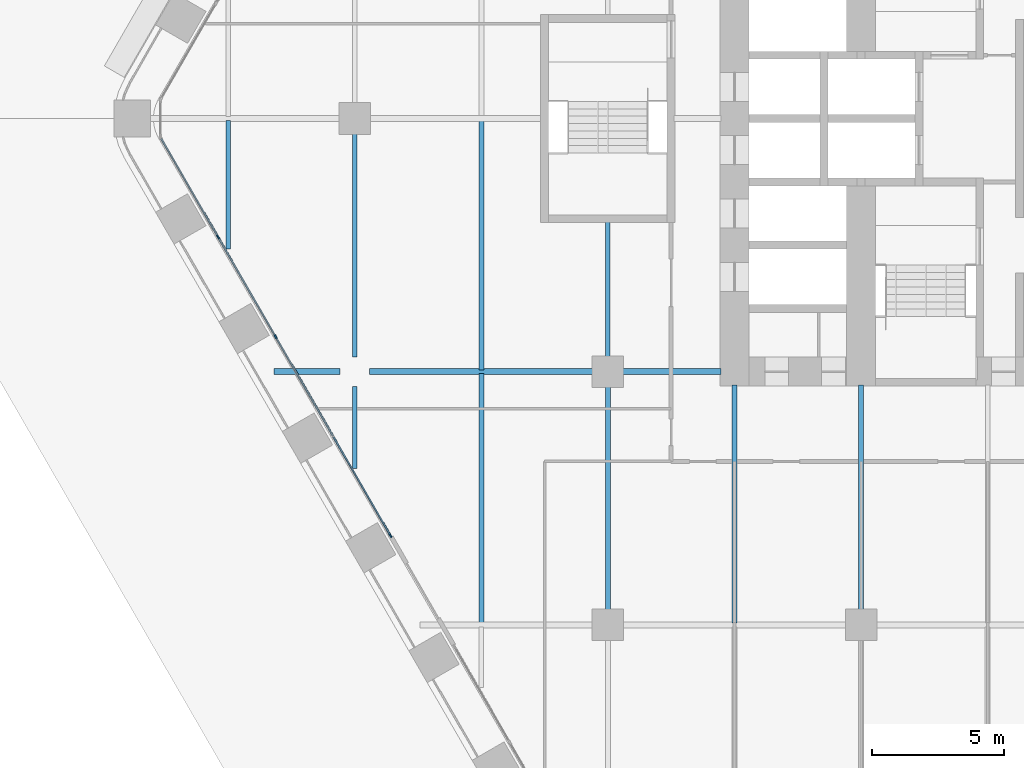
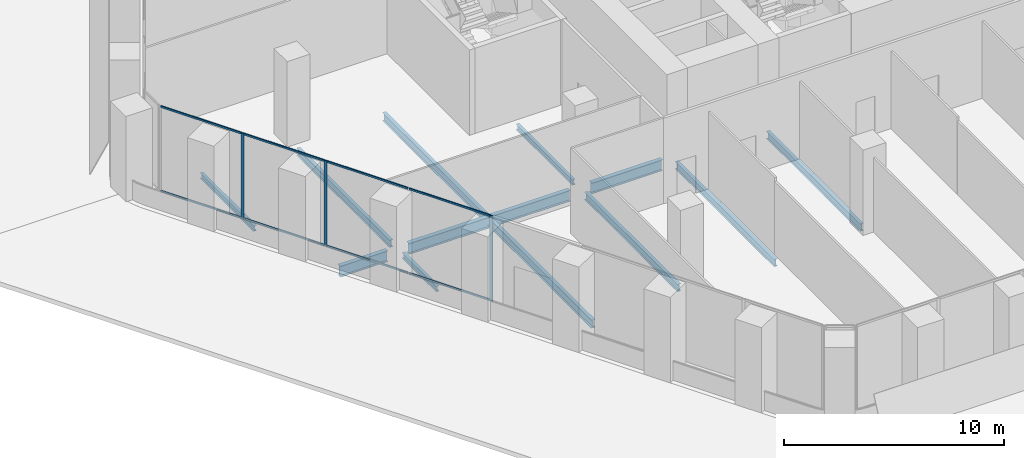
# One storey, part 3 of 29: 12 beams, 11 members, 1 element without a shape of its own.
"""IFC4 building model written with IfcOpenShell, lengths in metres."""

import ifcopenshell
import ifcopenshell.guid

model = None  # the IFC model being written
_history = None  # IfcOwnerHistory: only IFC2X3 demands one
_inside = {}  # id of a spatial element -> (the spatial element, [elements in it])
_under = {}  # id of a project, library or spatial element -> (it, [spatial elements below it])
_declared = {}  # id of a project -> (the project, [libraries it declares])
_typed = {}  # id of a type object -> (the type object, [elements of that type])
_made_of = {}  # id of a material, layer set ... -> (it, [elements and type objects made of it])


def new_model(schema):
    """Start an empty IFC model of exactly this schema.

    Asked for "IFC4X3", IfcOpenShell would pick the latest addendum, in which some entities
    have other attributes; the version numbers below select the first issue.
    IFC2X3 requires an IfcOwnerHistory on every rooted entity: one is made here for all.
    """
    global model, _history
    if schema == "IFC4X3":
        model = ifcopenshell.file(schema_version=(4, 3, 0, 0))
    else:
        model = ifcopenshell.file(schema=schema)
    _inside.clear()
    _under.clear()
    _declared.clear()
    _typed.clear()
    _made_of.clear()
    _history = None
    if model.schema == "IFC2X3":
        org = make("IfcOrganization", Name="unknown")
        user = make(
            "IfcPersonAndOrganization",
            ThePerson=make("IfcPerson", FamilyName="unknown"),
            TheOrganization=org,
        )
        app = make(
            "IfcApplication",
            ApplicationDeveloper=org,
            Version="unknown",
            ApplicationFullName="unknown",
            ApplicationIdentifier="unknown",
        )
        _history = make(
            "IfcOwnerHistory",
            OwningUser=user,
            OwningApplication=app,
            ChangeAction="ADDED",
            CreationDate=0,
        )
    return model


def make(cls, **values):
    """One entity of the class cls with the attributes given. An attribute that is None is left unset."""
    return model.create_entity(
        cls, **{name: value for name, value in values.items() if value is not None}
    )


def rooted(cls, **values):
    """An entity with a GlobalId (a new one), such as an element, a storey or a relation."""
    return make(cls, GlobalId=ifcopenshell.guid.new(), OwnerHistory=_history, **values)


def si_unit(unit_type, name, prefix=None):
    """IfcSIUnit, for example si_unit("LENGTHUNIT", "METRE", prefix="MILLI")."""
    return make("IfcSIUnit", UnitType=unit_type, Prefix=prefix, Name=name)


def assignment(units):
    """IfcUnitAssignment: the units of a project."""
    return None if units is None else make("IfcUnitAssignment", Units=units)


def point(xyz):
    """IfcCartesianPoint."""
    return None if xyz is None else make("IfcCartesianPoint", Coordinates=xyz)


def direction(xyz):
    """IfcDirection."""
    return None if xyz is None else make("IfcDirection", DirectionRatios=xyz)


def frame(location, z_axis=None, x_axis=None):
    """IfcAxis2Placement3D, a coordinate frame: its origin and axes. An axis left out is left unset."""
    return make(
        "IfcAxis2Placement3D",
        Location=point(location),
        Axis=direction(z_axis),
        RefDirection=direction(x_axis),
    )


def frame_2d(location, x_axis=None):
    """IfcAxis2Placement2D, a coordinate frame in the plane: its origin and x axis."""
    return make(
        "IfcAxis2Placement2D", Location=point(location), RefDirection=direction(x_axis)
    )


def origin():
    """The frame at (0, 0, 0) with its axes left unset."""
    return frame((0.0, 0.0, 0.0))


def origin_2d():
    """The frame at (0, 0) in the plane with its x axis left unset."""
    return frame_2d((0.0, 0.0))


def place(relative_to, where):
    """IfcLocalPlacement: puts the frame where relative to a parent placement (None: the world)."""
    return make(
        "IfcLocalPlacement", PlacementRelTo=relative_to, RelativePlacement=where
    )


def context(
    kind, dimensions, precision=None, world=None, true_north=None, identifier=None
):
    """IfcGeometricRepresentationContext, for example the 3D "Model" context."""
    return make(
        "IfcGeometricRepresentationContext",
        ContextIdentifier=identifier,
        ContextType=kind,
        CoordinateSpaceDimension=dimensions,
        Precision=precision,
        WorldCoordinateSystem=world,
        TrueNorth=true_north,
    )


def subcontext(parent, identifier, kind, view, scale=None):
    """IfcGeometricRepresentationSubContext, for example "Body" below "Model"."""
    return make(
        "IfcGeometricRepresentationSubContext",
        ContextIdentifier=identifier,
        ContextType=kind,
        ParentContext=parent,
        TargetScale=scale,
        TargetView=view,
    )


def project(units=None, contexts=None):
    """IfcProject with its units and contexts."""
    return rooted(
        "IfcProject",
        Name="project",
        RepresentationContexts=contexts,
        UnitsInContext=assignment(units),
    )


def spatial(cls, under=None, at=None, **own):
    """A site, building, storey or space (cls), placed at a placement, below another one or the project."""
    s = rooted(cls, ObjectPlacement=at, **own)
    if under is not None:
        _under.setdefault(under.id(), (under, []))[1].append(s)
    return s


def profile(cls, at=None, kind="AREA", **sizes):
    """A parametric profile (cls). Its sizes go by their IFC names, for example OverallWidth=200.0."""
    return make(cls, ProfileType=kind, Position=at, **sizes)


def rectangle(**sizes):
    """IfcRectangleProfileDef."""
    return profile("IfcRectangleProfileDef", **sizes)


def i_section(**sizes):
    """IfcIShapeProfileDef."""
    return profile("IfcIShapeProfileDef", **sizes)


def extrude(swept, where, along, depth):
    """IfcExtrudedAreaSolid: the profile swept, set in the frame where, extruded along a direction by depth."""
    return make(
        "IfcExtrudedAreaSolid",
        SweptArea=swept,
        Position=where,
        ExtrudedDirection=direction(along),
        Depth=depth,
    )


def shape(context_of_items, identifier, shape_type, items):
    """IfcShapeRepresentation: the items that make up one representation, for example the "Body"."""
    return make(
        "IfcShapeRepresentation",
        ContextOfItems=context_of_items,
        RepresentationIdentifier=identifier,
        RepresentationType=shape_type,
        Items=items,
    )


def material(Name=None, Category=None):
    """IfcMaterial."""
    return make("IfcMaterial", Name=Name, Category=Category)


def material_profile(
    of_material, cross_section, Name=None, Category=None, Priority=None
):
    """IfcMaterialProfile: a cross section and its material."""
    return make(
        "IfcMaterialProfile",
        Name=Name,
        Material=of_material,
        Profile=cross_section,
        Priority=Priority,
        Category=Category,
    )


def profile_set(profiles, Name=None, composite=None):
    """IfcMaterialProfileSet."""
    return make(
        "IfcMaterialProfileSet",
        Name=Name,
        MaterialProfiles=profiles,
        CompositeProfile=composite,
    )


def made_of(thing, what):
    """Note that an element or type object is made of a material, layer set ...; save() writes the relation."""
    if what is not None:
        _made_of.setdefault(what.id(), (what, []))[1].append(thing)
    return thing


def type_object(cls, material=None, **own):
    """A type object (cls), such as IfcWallType, which elements share."""
    return made_of(rooted(cls, **own), material)


def element(
    cls,
    number,
    at=None,
    inside=None,
    cuts=None,
    type_object=None,
    material=None,
    context=None,
    identifier="Body",
    shape_type=None,
    held_by="IfcProductDefinitionShape",
    body=None,
    shapes=None,
    **own,
):
    """One element of the class cls, such as IfcWall. Its Tag is "e" and its number.

    at: its placement. inside: the storey or other place that contains it. cuts: it is an
    opening in that element (IfcRelVoidsElement). A single representation is given by context,
    identifier, shape_type and body (its items); several are given by shapes. held_by: the class
    of the entity that holds the representations. save() writes the other relations.
    """
    e = rooted(cls, Tag="e%d" % number, ObjectPlacement=at, **own)
    if body is not None:
        shapes = [shape(context, identifier, shape_type, body)]
    if shapes is not None:
        e.Representation = make(held_by, Representations=shapes)
    if inside is not None:
        _inside.setdefault(inside.id(), (inside, []))[1].append(e)
    if cuts is not None:
        rooted(
            "IfcRelVoidsElement", RelatingBuildingElement=cuts, RelatedOpeningElement=e
        )
    if type_object is not None:
        _typed.setdefault(type_object.id(), (type_object, []))[1].append(e)
    return made_of(e, material)


def aggregate(whole, parts):
    """IfcRelAggregates: a whole, such as a stair, and the parts it consists of."""
    return rooted("IfcRelAggregates", RelatingObject=whole, RelatedObjects=parts)


def save(model, path):
    """Write the relations noted so far, then the file.

    IfcRelAggregates (storeys below a building ...), IfcRelContainedInSpatialStructure (elements
    in a storey), IfcRelDefinesByType, IfcRelAssociatesMaterial and IfcRelDeclares: one each for
    every whole, place, type object, material and project.
    """
    for whole, parts in _under.values():
        aggregate(whole, parts)
    for where, things in _inside.values():
        rooted(
            "IfcRelContainedInSpatialStructure",
            RelatedElements=things,
            RelatingStructure=where,
        )
    for kind, things in _typed.values():
        rooted("IfcRelDefinesByType", RelatedObjects=things, RelatingType=kind)
    for what, things in _made_of.values():
        rooted("IfcRelAssociatesMaterial", RelatedObjects=things, RelatingMaterial=what)
    for by, libraries in _declared.values():
        rooted("IfcRelDeclares", RelatingContext=by, RelatedDefinitions=libraries)
    model.write(path)


model = new_model("IFC4")

# Units and contexts
model_context = context("Model", 3, precision=1e-05, world=origin(), true_north=direction((0.0, 1.0)))
body_context = subcontext(model_context, "Body", "Model", "MODEL_VIEW")
ifc_project = project(units=[si_unit("LENGTHUNIT", "METRE"), si_unit("AREAUNIT", "SQUARE_METRE"), si_unit("VOLUMEUNIT", "CUBIC_METRE"), si_unit("PLANEANGLEUNIT", "RADIAN"), si_unit("MASSUNIT", "GRAM", prefix="KILO")], contexts=[model_context])

# Site, building, storey
site_placement = place(None, origin())
site = spatial("IfcSite", under=ifc_project, at=site_placement, CompositionType="ELEMENT")
building_placement = place(site_placement, origin())
building = spatial("IfcBuilding", under=site, at=building_placement, Name="Kolab Exchange Tower", CompositionType="ELEMENT")
storey_placement = place(building_placement, frame((0.0, 0.0, 17.39990234375)))
storey = spatial("IfcBuildingStorey", under=building, at=storey_placement, Name="L03", CompositionType="ELEMENT", Elevation=17.39990234375)

# Beams
ifc_material_1 = material(Name="Steel S355", Category="steel")
ifc_material_profile_1 = material_profile(ifc_material_1, i_section(OverallWidth=0.1650390625, OverallDepth=0.31005859375, WebThickness=0.005859375, FlangeThickness=0.009765625, at=origin_2d()), Name="W310X39")
ifc_profile_set_1 = profile_set([ifc_material_profile_1], Name="Steel S355")
beam_type_1 = type_object("IfcBeamType", Name="FLOOR BEAM W310X39", PredefinedType="BEAM", material=ifc_profile_set_1)
beam_1_placement = place(storey_placement, frame((-33.60009765625, -4.953857421875, -0.40478515625), z_axis=(0.0, 1.0, 0.0), x_axis=(-1.0, 0.0, 0.0)))
element("IfcBeam", 1, at=beam_1_placement, inside=storey, type_object=beam_type_1, Name="beam/L03/fr/000", PredefinedType="BEAM", context=body_context, shape_type="SweptSolid", body=[
    extrude(i_section(OverallWidth=0.1650390625, OverallDepth=0.31005859375, WebThickness=0.005859375, FlangeThickness=0.009765625, at=origin_2d()), origin(), (0.0, 0.0, 1.0), 4.8798828125),
])
beam_2_placement = place(storey_placement, frame((-28.800048828125, -13.267578125, -0.40478515625), z_axis=(0.0, 1.0, 0.0), x_axis=(-1.0, 0.0, 0.0)))
element("IfcBeam", 2, at=beam_2_placement, inside=storey, type_object=beam_type_1, Name="beam/L03/fr/002", PredefinedType="BEAM", context=body_context, shape_type="SweptSolid", body=[
    extrude(i_section(OverallWidth=0.1650390625, OverallDepth=0.31005859375, WebThickness=0.005859375, FlangeThickness=0.009765625, at=origin_2d()), origin(), (0.0, 0.0, 1.0), 3.107666015625),
])
beam_3_placement = place(storey_placement, frame((-19.199951171875, -9.0400390625, -0.40478515625), z_axis=(0.0, 1.0, 0.0), x_axis=(-1.0, 0.0, 0.0)))
element("IfcBeam", 3, at=beam_3_placement, inside=storey, type_object=beam_type_1, Name="beam/L03/fr/014", PredefinedType="BEAM", context=body_context, shape_type="SweptSolid", body=[
    extrude(i_section(OverallWidth=0.1650390625, OverallDepth=0.31005859375, WebThickness=0.005859375, FlangeThickness=0.009765625, at=origin_2d()), origin(), (0.0, 0.0, 1.0), 5.130126953125),
])
ifc_material_profile_2 = material_profile(ifc_material_1, i_section(OverallWidth=0.177978515625, OverallDepth=0.406982421875, WebThickness=0.0078125, FlangeThickness=0.0126953125, at=origin_2d()), Name="W410X60")
ifc_profile_set_2 = profile_set([ifc_material_profile_2], Name="Steel S355")
beam_type_2 = type_object("IfcBeamType", Name="FLOOR BEAM W410X60", PredefinedType="BEAM", material=ifc_profile_set_2)
for number, where, z_axis, x_axis, name in (
    (4, (-28.800048828125, -9.0400390625, -0.453369140625), (0.0, 1.0, 0.0), (-1.0, 0.0, 0.0), "beam/L03/fr/003"),
    (5, (-19.199951171875, -18.639892578125, -0.453369140625), (0.0, 1.0, 0.0), (-1.0, 0.0, 0.0), "beam/L03/fr/013"),
):
    element("IfcBeam", number, at=place(storey_placement, frame(where, z_axis=z_axis, x_axis=x_axis)), inside=storey, type_object=beam_type_2, Name=name, PredefinedType="BEAM", context=body_context, shape_type="SweptSolid", body=[
        extrude(i_section(OverallWidth=0.177978515625, OverallDepth=0.406982421875, WebThickness=0.0078125, FlangeThickness=0.0126953125, at=origin_2d()), origin(), (0.0, 0.0, 1.0), 8.47998046875),
    ])
beam_4_placement = place(storey_placement, frame((-14.39990234375, -19.1259765625, -0.453369140625), z_axis=(0.0, 1.0, 0.0), x_axis=(-1.0, 0.0, 0.0)))
element("IfcBeam", 6, at=beam_4_placement, inside=storey, type_object=beam_type_2, Name="beam/L03/fr/021", PredefinedType="BEAM", context=body_context, shape_type="SweptSolid", body=[
    extrude(i_section(OverallWidth=0.177978515625, OverallDepth=0.406982421875, WebThickness=0.0078125, FlangeThickness=0.0126953125, at=origin_2d()), origin(), (0.0, 0.0, 1.0), 9.015869140625),
])
beam_5_placement = place(storey_placement, frame((-9.60009765625, -18.639892578125, -0.453369140625), z_axis=(0.0, 1.0, 0.0), x_axis=(-1.0, 0.0, 0.0)))
element("IfcBeam", 7, at=beam_5_placement, inside=storey, type_object=beam_type_2, Name="beam/L03/fr/027", PredefinedType="BEAM", context=body_context, shape_type="SweptSolid", body=[
    extrude(i_section(OverallWidth=0.177978515625, OverallDepth=0.406982421875, WebThickness=0.0078125, FlangeThickness=0.0126953125, at=origin_2d()), origin(), (0.0, 0.0, 1.0), 8.52978515625),
])
ifc_material_profile_3 = material_profile(ifc_material_1, i_section(OverallWidth=0.18994140625, OverallDepth=0.45703125, WebThickness=0.009033203125, FlangeThickness=0.014404296875, at=origin_2d()), Name="W460X74")
ifc_profile_set_3 = profile_set([ifc_material_profile_3], Name="Steel S355")
beam_type_3 = type_object("IfcBeamType", Name="FLOOR BEAM W460X74", PredefinedType="BEAM", material=ifc_profile_set_3)
for number, where, z_axis, x_axis, name in (
    (8, (-24.0, -19.1259765625, -0.478515625), (0.0, 1.0, 0.0), (-1.0, 0.0, 0.0), "beam/L03/fr/007"),
    (9, (-24.0, -9.52587890625, -0.478515625), (0.0, 1.0, 0.0), (-1.0, 0.0, 0.0), "beam/L03/fr/008"),
):
    element("IfcBeam", number, at=place(storey_placement, frame(where, z_axis=z_axis, x_axis=x_axis)), inside=storey, type_object=beam_type_3, Name=name, PredefinedType="BEAM", context=body_context, shape_type="SweptSolid", body=[
        extrude(i_section(OverallWidth=0.18994140625, OverallDepth=0.45703125, WebThickness=0.009033203125, FlangeThickness=0.014404296875, at=origin_2d()), origin(), (0.0, 0.0, 1.0), 9.451904296875),
    ])
ifc_material_profile_4 = material_profile(ifc_material_1, i_section(OverallWidth=0.22802734375, OverallDepth=0.60791015625, WebThickness=0.01123046875, FlangeThickness=0.017333984375, at=origin_2d()), Name="W610X113")
ifc_profile_set_4 = profile_set([ifc_material_profile_4], Name="Steel S355")
beam_type_4 = type_object("IfcBeamType", Name="FLOOR GIRDER W610X113", PredefinedType="BEAM", material=ifc_profile_set_4)
beam_6_placement = place(storey_placement, frame((-31.858154296875, -9.60009765625, -0.553955078125), z_axis=(1.0, 0.0, 0.0), x_axis=(0.0, 1.0, 0.0)))
element("IfcBeam", 10, at=beam_6_placement, inside=storey, type_object=beam_type_4, Name="beam/L03/gd/001", PredefinedType="BEAM", context=body_context, shape_type="SweptSolid", body=[
    extrude(i_section(OverallWidth=0.22802734375, OverallDepth=0.60791015625, WebThickness=0.01123046875, FlangeThickness=0.017333984375, at=origin_2d()), origin(), (0.0, 0.0, 1.0), 2.498046875),
])
beam_7_placement = place(storey_placement, frame((-28.239990234375, -9.60009765625, -0.553955078125), z_axis=(1.0, 0.0, 0.0), x_axis=(0.0, 1.0, 0.0)))
element("IfcBeam", 11, at=beam_7_placement, inside=storey, type_object=beam_type_4, Name="beam/L03/gd/003", PredefinedType="BEAM", context=body_context, shape_type="SweptSolid", body=[
    extrude(i_section(OverallWidth=0.22802734375, OverallDepth=0.60791015625, WebThickness=0.01123046875, FlangeThickness=0.017333984375, at=origin_2d()), origin(), (0.0, 0.0, 1.0), 8.47998046875),
])
beam_8_placement = place(storey_placement, frame((-18.639892578125, -9.60009765625, -0.553955078125), z_axis=(1.0, 0.0, 0.0), x_axis=(0.0, 1.0, 0.0)))
element("IfcBeam", 12, at=beam_8_placement, inside=storey, type_object=beam_type_4, Name="beam/L03/gd/010", PredefinedType="BEAM", context=body_context, shape_type="SweptSolid", body=[
    extrude(i_section(OverallWidth=0.22802734375, OverallDepth=0.60791015625, WebThickness=0.01123046875, FlangeThickness=0.017333984375, at=origin_2d()), origin(), (0.0, 0.0, 1.0), 3.72998046875),
])

# Curtain wall, members
ifc_material_2 = material(Name="Aluminium EN AW-6063 T6", Category="aluminium")
curtain_wall_type = type_object("IfcCurtainWallType", Name="UNITISED LOW ZONE CURTAIN WALL", PredefinedType="NOTDEFINED", material=ifc_material_2)
curtain_wall_placement = place(storey_placement, origin())
curtain_wall = element("IfcCurtainWall", 13, at=curtain_wall_placement, inside=storey, type_object=curtain_wall_type, Name="cw/L03/F5-2", PredefinedType="NOTDEFINED")
ifc_material_profile_5 = material_profile(ifc_material_2, rectangle(XDim=0.06005859375, YDim=0.159912109375, at=origin_2d()), Name="RECT 60X160")
ifc_profile_set_5 = profile_set([ifc_material_profile_5], Name="Aluminium EN AW-6063 T6")
member_type_1 = type_object("IfcMemberType", Name="UNITISED LOW ZONE MULLION 60 X 160", PredefinedType="MULLION", material=ifc_profile_set_5)
member_1_placement = place(storey_placement, frame((-27.44677734375, -15.811767578125, 0.0), z_axis=(0.0, 0.0, 1.0), x_axis=(-0.866025422102, -0.499999968274, 0.0)))
member_1 = element("IfcMember", 14, at=member_1_placement, type_object=member_type_1, Name="CW1 mullion 1", PredefinedType="MULLION", context=body_context, shape_type="SweptSolid", body=[
    extrude(rectangle(XDim=0.06005859375, YDim=0.159912109375, at=origin_2d()), origin(), (0.0, 0.0, 1.0), 4.75),
])
member_2_placement = place(storey_placement, frame((-31.798583984375, -8.27392578125, 0.0), z_axis=(0.0, 0.0, 1.0), x_axis=(-0.866025422102, -0.499999968274, 0.0)))
member_2 = element("IfcMember", 15, at=member_2_placement, type_object=member_type_1, Name="CW1 mullion 3", PredefinedType="MULLION", context=body_context, shape_type="SweptSolid", body=[
    extrude(rectangle(XDim=0.06005859375, YDim=0.159912109375, at=origin_2d()), origin(), (0.0, 0.0, 1.0), 4.75),
])
member_3_placement = place(storey_placement, frame((-33.982177734375, -4.491943359375, 0.0), z_axis=(0.0, 0.0, 1.0), x_axis=(-0.866025422102, -0.499999968274, 0.0)))
member_3 = element("IfcMember", 16, at=member_3_placement, type_object=member_type_1, Name="CW1 mullion 4", PredefinedType="MULLION", context=body_context, shape_type="SweptSolid", body=[
    extrude(rectangle(XDim=0.06005859375, YDim=0.159912109375, at=origin_2d()), origin(), (0.0, 0.0, 1.0), 4.75),
])
ifc_material_profile_6 = material_profile(ifc_material_2, rectangle(XDim=0.06005859375, YDim=0.10009765625, at=origin_2d()), Name="RECT 60X100")
ifc_profile_set_6 = profile_set([ifc_material_profile_6], Name="Aluminium EN AW-6063 T6")
member_type_2 = type_object("IfcMemberType", Name="UNITISED LOW ZONE TRANSOM 60 X 100", PredefinedType="USERDEFINED", material=ifc_profile_set_6)
member_4_placement = place(storey_placement, frame((-27.461669921875, -15.78564453125, 0.030029296875), z_axis=(-0.500000816281, 0.866024932504, 0.0), x_axis=(-0.866024932504, -0.500000816281, 0.0)))
member_4 = element("IfcMember", 17, at=member_4_placement, type_object=member_type_2, Name="CW1 transom 1.1", ObjectType="TRANSOM", PredefinedType="USERDEFINED", context=body_context, shape_type="SweptSolid", body=[
    extrude(rectangle(XDim=0.06005859375, YDim=0.10009765625, at=origin_2d()), origin(), (0.0, 0.0, 1.0), 4.27685546875),
])
member_5_placement = place(storey_placement, frame((-27.461669921875, -15.78564453125, 4.72021484375), z_axis=(-0.500000816281, 0.866024932504, 0.0), x_axis=(-0.866024932504, -0.500000816281, 0.0)))
member_5 = element("IfcMember", 18, at=member_5_placement, type_object=member_type_2, Name="CW1 transom 1.2", ObjectType="TRANSOM", PredefinedType="USERDEFINED", context=body_context, shape_type="SweptSolid", body=[
    extrude(rectangle(XDim=0.06005859375, YDim=0.10009765625, at=origin_2d()), origin(), (0.0, 0.0, 1.0), 4.27685546875),
])
member_6_placement = place(storey_placement, frame((-29.630126953125, -12.02978515625, 0.030029296875), z_axis=(-0.500010313095, 0.866019449435, 0.0), x_axis=(-0.866019449435, -0.500010313095, 0.0)))
member_6 = element("IfcMember", 19, at=member_6_placement, type_object=member_type_2, Name="CW1 transom 2.1", ObjectType="TRANSOM", PredefinedType="USERDEFINED", context=body_context, shape_type="SweptSolid", body=[
    extrude(rectangle(XDim=0.06005859375, YDim=0.10009765625, at=origin_2d()), origin(), (0.0, 0.0, 1.0), 4.30712890625),
])
member_7_placement = place(storey_placement, frame((-29.630126953125, -12.02978515625, 4.72021484375), z_axis=(-0.500010313095, 0.866019449435, 0.0), x_axis=(-0.866019449435, -0.500010313095, 0.0)))
member_7 = element("IfcMember", 20, at=member_7_placement, type_object=member_type_2, Name="CW1 transom 2.2", ObjectType="TRANSOM", PredefinedType="USERDEFINED", context=body_context, shape_type="SweptSolid", body=[
    extrude(rectangle(XDim=0.06005859375, YDim=0.10009765625, at=origin_2d()), origin(), (0.0, 0.0, 1.0), 4.30712890625),
])
member_8_placement = place(storey_placement, frame((-31.813720703125, -8.247802734375, 0.030029296875), z_axis=(-0.499967798808, 0.866043994353, 0.0), x_axis=(-0.866043994353, -0.499967798808, 0.0)))
member_8 = element("IfcMember", 21, at=member_8_placement, type_object=member_type_2, Name="CW1 transom 3.1", ObjectType="TRANSOM", PredefinedType="USERDEFINED", context=body_context, shape_type="SweptSolid", body=[
    extrude(rectangle(XDim=0.06005859375, YDim=0.10009765625, at=origin_2d()), origin(), (0.0, 0.0, 1.0), 4.306884765625),
])
member_9_placement = place(storey_placement, frame((-31.813720703125, -8.247802734375, 4.72021484375), z_axis=(-0.499967798808, 0.866043994353, 0.0), x_axis=(-0.866043994353, -0.499967798808, 0.0)))
member_9 = element("IfcMember", 22, at=member_9_placement, type_object=member_type_2, Name="CW1 transom 3.2", ObjectType="TRANSOM", PredefinedType="USERDEFINED", context=body_context, shape_type="SweptSolid", body=[
    extrude(rectangle(XDim=0.06005859375, YDim=0.10009765625, at=origin_2d()), origin(), (0.0, 0.0, 1.0), 4.306884765625),
])
member_10_placement = place(storey_placement, frame((-33.9970703125, -4.4658203125, 0.030029296875), z_axis=(-0.500043627578, 0.866000213925, 0.0), x_axis=(-0.866000213925, -0.500043627578, 0.0)))
member_10 = element("IfcMember", 23, at=member_10_placement, type_object=member_type_2, Name="CW1 transom 4.1", ObjectType="TRANSOM", PredefinedType="USERDEFINED", context=body_context, shape_type="SweptSolid", body=[
    extrude(rectangle(XDim=0.06005859375, YDim=0.10009765625, at=origin_2d()), origin(), (0.0, 0.0, 1.0), 4.27685546875),
])
member_11_placement = place(storey_placement, frame((-33.9970703125, -4.4658203125, 4.72021484375), z_axis=(-0.500043627578, 0.866000213925, 0.0), x_axis=(-0.866000213925, -0.500043627578, 0.0)))
member_11 = element("IfcMember", 24, at=member_11_placement, type_object=member_type_2, Name="CW1 transom 4.2", ObjectType="TRANSOM", PredefinedType="USERDEFINED", context=body_context, shape_type="SweptSolid", body=[
    extrude(rectangle(XDim=0.06005859375, YDim=0.10009765625, at=origin_2d()), origin(), (0.0, 0.0, 1.0), 4.27685546875),
])
aggregate(curtain_wall, [member_1, member_2, member_3, member_4, member_5, member_6, member_7, member_8, member_9, member_10, member_11])

save(model, "model.ifc")
